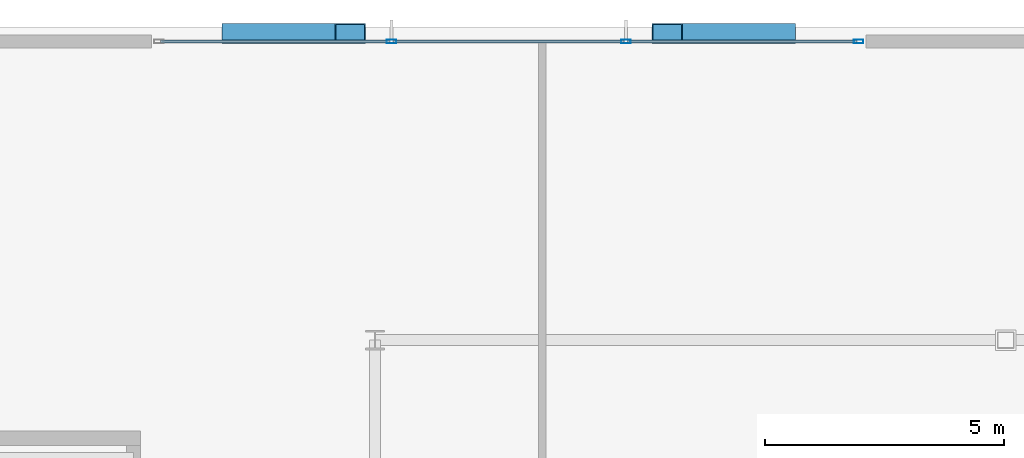
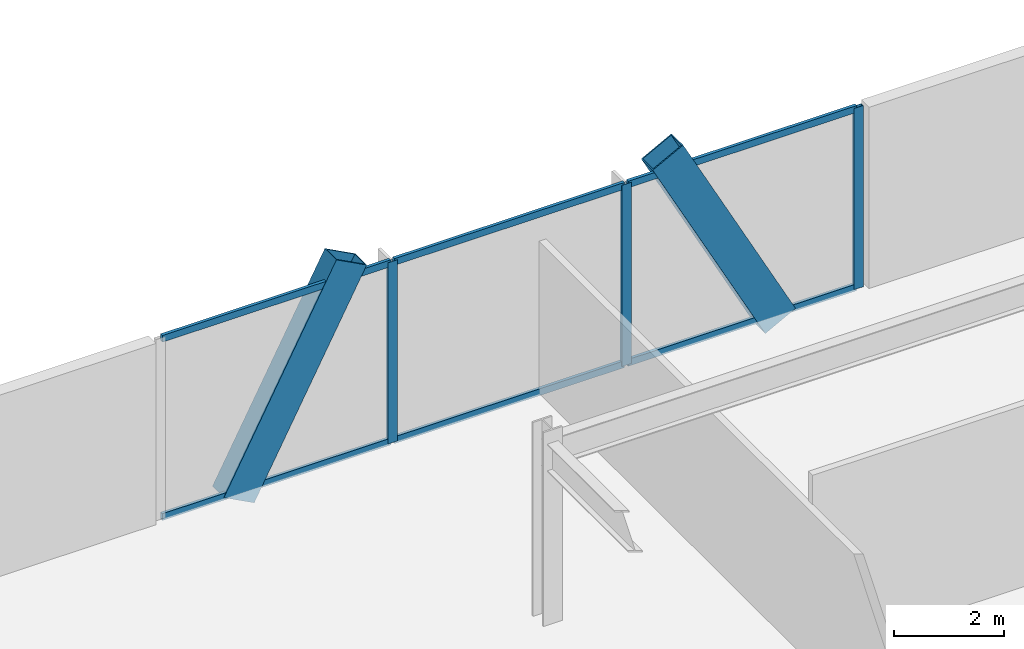
# One storey, part 26 of 42: 11 members, 1 element without a shape of its own.
"""IFC4 building model written with IfcOpenShell, lengths in metres."""

from ifc_helpers import new_model, si_unit, direction, frame, origin, origin_2d, place, context, subcontext, project, spatial, hollow_rectangle, extrude, material, layer, layer_set, material_profile, profile_set, type_object, element, aggregate, save


model = new_model("IFC4")

# Units and contexts
model_context = context("Model", 3, precision=1e-05, world=origin(), true_north=direction((0.0, 1.0)))
body_context = subcontext(model_context, "Body", "Model", "MODEL_VIEW")
ifc_project = project(units=[si_unit("LENGTHUNIT", "METRE"), si_unit("AREAUNIT", "SQUARE_METRE"), si_unit("VOLUMEUNIT", "CUBIC_METRE"), si_unit("PLANEANGLEUNIT", "RADIAN"), si_unit("MASSUNIT", "GRAM", prefix="KILO")], contexts=[model_context])

# Site, building, storey
site_placement = place(None, origin())
site = spatial("IfcSite", under=ifc_project, at=site_placement, CompositionType="ELEMENT")
building_placement = place(site_placement, origin())
building = spatial("IfcBuilding", under=site, at=building_placement, Name="Orvanel Arch Residences", CompositionType="ELEMENT")
storey_placement = place(building_placement, frame((0.0, 0.0, 9.800048828125)))
storey = spatial("IfcBuildingStorey", under=building, at=storey_placement, Name="L02", CompositionType="ELEMENT", Elevation=9.800048828125)

# Members
ifc_material_1 = material(Name="Structural steel AS/NZS 3678 Grade 350", Category="steel")
ifc_material_profile_1 = material_profile(ifc_material_1, hollow_rectangle(XDim=0.419921875, YDim=0.719970703125, WallThickness=0.02490234375, at=origin_2d()), Name="RHS720x420x25")
ifc_profile_set_1 = profile_set([ifc_material_profile_1], Name="Structural steel AS/NZS 3678 Grade 350")
member_type_1 = type_object("IfcMemberType", Name="BR-720RHS-EXT", PredefinedType="BRACE", material=ifc_profile_set_1)
for number, where, z_axis, x_axis, name in (
    (1, (16.919921875, 54.419921875, -0.150146484375), (0.468677991145, 0.0, 0.88336908516), (0.0, 1.0, 0.0), "L02 Podium Multi-Storey V-Strut Pair N1 Leg 2"),
    (2, (28.280029296875, 54.419921875, -0.150146484375), (-0.468677991145, 0.0, 0.88336908516), (0.0, -1.0, 0.0), "L02 Podium Multi-Storey V-Strut Pair N2 Leg 1"),
):
    element("IfcMember", number, at=place(storey_placement, frame(where, z_axis=z_axis, x_axis=x_axis)), inside=storey, type_object=member_type_1, Name=name, PredefinedType="BRACE", context=body_context, shape_type="SweptSolid", body=[
        extrude(hollow_rectangle(XDim=0.419921875, YDim=0.719970703125, WallThickness=0.02490234375, at=origin_2d()), origin(), (0.0, 0.0, 1.0), 5.037841796875),
    ])

# Curtain wall, members
ifc_material_2 = material(Name="Bronze-anodised aluminium AA6063-T6", Category="aluminium")
ifc_layer = layer(ifc_material_2, 0.199951171875)
ifc_layer_set = layer_set([ifc_layer], Name="Bronze-anodised aluminium AA6063-T6")
curtain_wall_type = type_object("IfcCurtainWallType", Name="CW1-POD-SYS", PredefinedType="NOTDEFINED", material=ifc_layer_set)
curtain_wall_placement = place(storey_placement, origin())
curtain_wall = element("IfcCurtainWall", 3, at=curtain_wall_placement, inside=storey, type_object=curtain_wall_type, Name="L02 CW1-POD-SYS Unitised Curtain Wall", PredefinedType="NOTDEFINED")
ifc_material_profile_2 = material_profile(ifc_material_2, hollow_rectangle(XDim=0.074951171875, YDim=0.199951171875, WallThickness=0.0048828125, at=origin_2d()), Name="ALU200x75x5")
ifc_profile_set_2 = profile_set([ifc_material_profile_2], Name="Bronze-anodised aluminium AA6063-T6")
member_type_2 = type_object("IfcMemberType", Name="MUL-200x75", PredefinedType="MULLION", material=ifc_profile_set_2)
member_1_placement = place(storey_placement, frame((29.922607421875, 54.25, 0.0), z_axis=(0.0, 0.0, 1.0), x_axis=(0.0, -1.0, 0.0)))
member_1 = element("IfcMember", 4, at=member_1_placement, type_object=member_type_2, Name="CW-S1 mullion 1", PredefinedType="MULLION", context=body_context, shape_type="SweptSolid", body=[
    extrude(hollow_rectangle(XDim=0.074951171875, YDim=0.199951171875, WallThickness=0.0048828125, at=origin_2d()), origin(), (0.0, 0.0, 1.0), 4.02001953125),
])
member_2_placement = place(storey_placement, frame((25.05322265625, 54.25, 0.0), z_axis=(0.0, 0.0, 1.0), x_axis=(0.0, -1.0, 0.0)))
member_2 = element("IfcMember", 5, at=member_2_placement, type_object=member_type_2, Name="CW-S1 mullion 2", PredefinedType="MULLION", context=body_context, shape_type="SweptSolid", body=[
    extrude(hollow_rectangle(XDim=0.074951171875, YDim=0.199951171875, WallThickness=0.0048828125, at=origin_2d()), origin(), (0.0, 0.0, 1.0), 4.02001953125),
])
member_3_placement = place(storey_placement, frame((20.146728515625, 54.25, 0.0), z_axis=(0.0, 0.0, 1.0), x_axis=(0.0, -1.0, 0.0)))
member_3 = element("IfcMember", 6, at=member_3_placement, type_object=member_type_2, Name="CW-S1 mullion 3", PredefinedType="MULLION", context=body_context, shape_type="SweptSolid", body=[
    extrude(hollow_rectangle(XDim=0.074951171875, YDim=0.199951171875, WallThickness=0.0048828125, at=origin_2d()), origin(), (0.0, 0.0, 1.0), 4.02001953125),
])
ifc_material_profile_3 = material_profile(ifc_material_2, hollow_rectangle(XDim=0.06494140625, YDim=0.14990234375, WallThickness=0.00390625, at=origin_2d()), Name="ALU150x65x4")
ifc_profile_set_3 = profile_set([ifc_material_profile_3], Name="Bronze-anodised aluminium AA6063-T6")
member_type_3 = type_object("IfcMemberType", Name="TRN-150x65", PredefinedType="USERDEFINED", material=ifc_profile_set_3)
member_4_placement = place(storey_placement, frame((29.885009765625, 54.25, 0.032470703125), z_axis=(-1.0, 0.0, 0.0), x_axis=(0.0, -1.0, 0.0)))
member_4 = element("IfcMember", 7, at=member_4_placement, type_object=member_type_3, Name="CW-S1 transom 1.1", ObjectType="TRANSOM", PredefinedType="USERDEFINED", context=body_context, shape_type="SweptSolid", body=[
    extrude(hollow_rectangle(XDim=0.06494140625, YDim=0.14990234375, WallThickness=0.00390625, at=origin_2d()), origin(), (0.0, 0.0, 1.0), 4.794189453125),
])
member_5_placement = place(storey_placement, frame((29.885009765625, 54.25, 3.987548828125), z_axis=(-1.0, 0.0, 0.0), x_axis=(0.0, -1.0, 0.0)))
member_5 = element("IfcMember", 8, at=member_5_placement, type_object=member_type_3, Name="CW-S1 transom 1.2", ObjectType="TRANSOM", PredefinedType="USERDEFINED", context=body_context, shape_type="SweptSolid", body=[
    extrude(hollow_rectangle(XDim=0.06494140625, YDim=0.14990234375, WallThickness=0.00390625, at=origin_2d()), origin(), (0.0, 0.0, 1.0), 4.794189453125),
])
member_6_placement = place(storey_placement, frame((25.015869140625, 54.25, 0.032470703125), z_axis=(-1.0, 0.0, 0.0), x_axis=(0.0, -1.0, 0.0)))
member_6 = element("IfcMember", 9, at=member_6_placement, type_object=member_type_3, Name="CW-S1 transom 2.1", ObjectType="TRANSOM", PredefinedType="USERDEFINED", context=body_context, shape_type="SweptSolid", body=[
    extrude(hollow_rectangle(XDim=0.06494140625, YDim=0.14990234375, WallThickness=0.00390625, at=origin_2d()), origin(), (0.0, 0.0, 1.0), 4.831787109375),
])
member_7_placement = place(storey_placement, frame((25.015869140625, 54.25, 3.987548828125), z_axis=(-1.0, 0.0, 0.0), x_axis=(0.0, -1.0, 0.0)))
member_7 = element("IfcMember", 10, at=member_7_placement, type_object=member_type_3, Name="CW-S1 transom 2.2", ObjectType="TRANSOM", PredefinedType="USERDEFINED", context=body_context, shape_type="SweptSolid", body=[
    extrude(hollow_rectangle(XDim=0.06494140625, YDim=0.14990234375, WallThickness=0.00390625, at=origin_2d()), origin(), (0.0, 0.0, 1.0), 4.831787109375),
])
member_8_placement = place(storey_placement, frame((20.109130859375, 54.25, 0.032470703125), z_axis=(-1.0, 0.0, 0.0), x_axis=(0.0, -1.0, 0.0)))
member_8 = element("IfcMember", 11, at=member_8_placement, type_object=member_type_3, Name="CW-S1 transom 3.1", ObjectType="TRANSOM", PredefinedType="USERDEFINED", context=body_context, shape_type="SweptSolid", body=[
    extrude(hollow_rectangle(XDim=0.06494140625, YDim=0.14990234375, WallThickness=0.00390625, at=origin_2d()), origin(), (0.0, 0.0, 1.0), 4.794189453125),
])
member_9_placement = place(storey_placement, frame((20.109130859375, 54.25, 3.987548828125), z_axis=(-1.0, 0.0, 0.0), x_axis=(0.0, -1.0, 0.0)))
member_9 = element("IfcMember", 12, at=member_9_placement, type_object=member_type_3, Name="CW-S1 transom 3.2", ObjectType="TRANSOM", PredefinedType="USERDEFINED", context=body_context, shape_type="SweptSolid", body=[
    extrude(hollow_rectangle(XDim=0.06494140625, YDim=0.14990234375, WallThickness=0.00390625, at=origin_2d()), origin(), (0.0, 0.0, 1.0), 4.794189453125),
])
aggregate(curtain_wall, [member_1, member_2, member_3, member_4, member_5, member_6, member_7, member_8, member_9])

save(model, "model.ifc")
